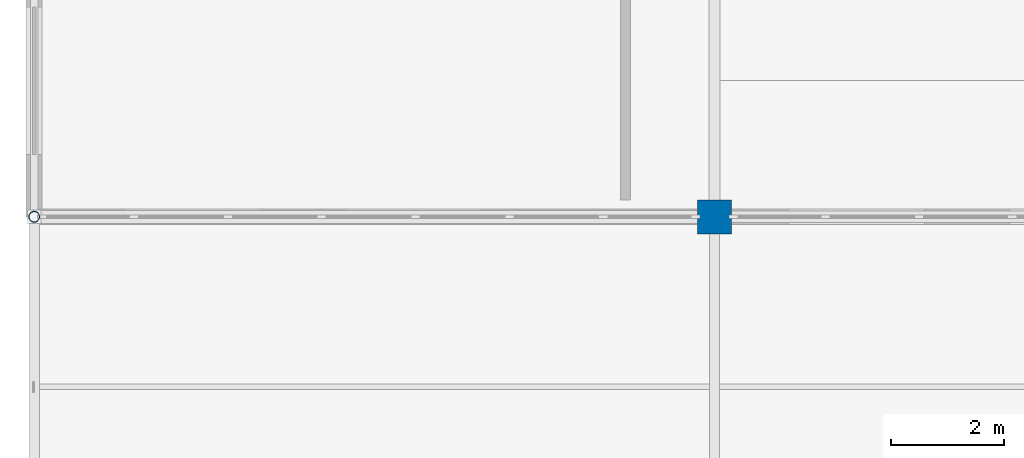
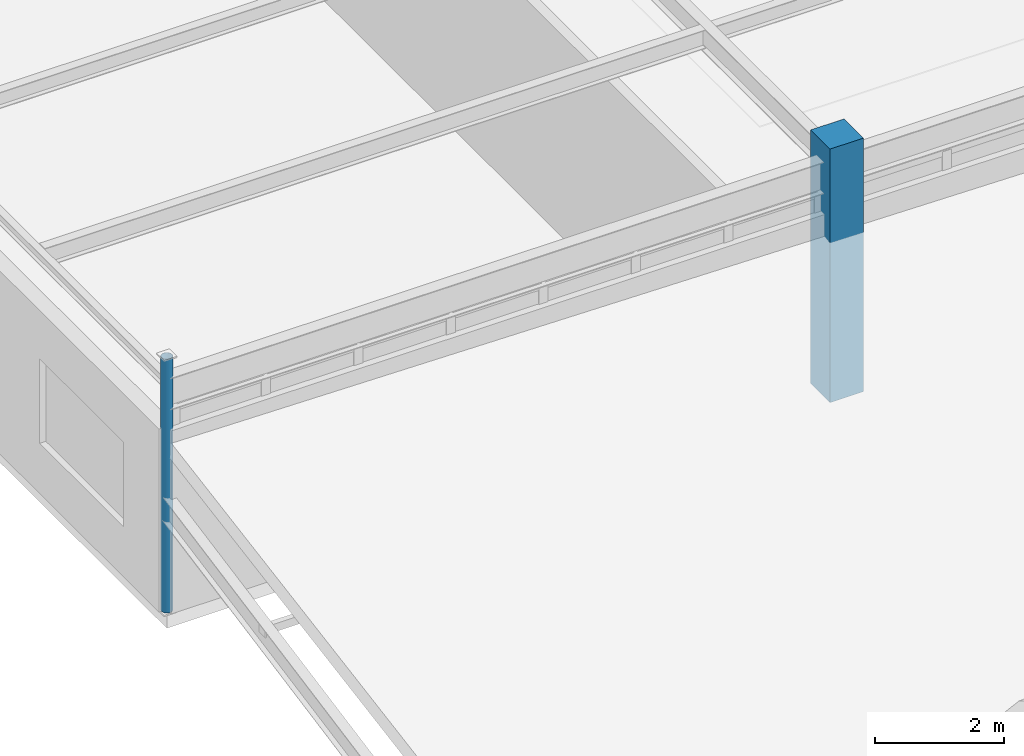
# One storey, part 3 of 226: 2 columns.
"""IFC4 building model written with IfcOpenShell, lengths in metres."""

from ifc_helpers import new_model, si_unit, direction, frame, origin, origin_2d, place, context, subcontext, project, spatial, rectangle, hollow_circle, extrude, material, material_profile, profile_set, type_object, element, save


model = new_model("IFC4")

# Units and contexts
model_context = context("Model", 3, precision=1e-05, world=origin(), true_north=direction((0.0, 1.0)))
body_context = subcontext(model_context, "Body", "Model", "MODEL_VIEW")
ifc_project = project(units=[si_unit("LENGTHUNIT", "METRE"), si_unit("AREAUNIT", "SQUARE_METRE"), si_unit("VOLUMEUNIT", "CUBIC_METRE"), si_unit("PLANEANGLEUNIT", "RADIAN"), si_unit("MASSUNIT", "GRAM", prefix="KILO")], contexts=[model_context])

# Site, building, storey
site_placement = place(None, origin())
site = spatial("IfcSite", under=ifc_project, at=site_placement, CompositionType="ELEMENT")
building_placement = place(site_placement, origin())
building = spatial("IfcBuilding", under=site, at=building_placement, Name="Tarnwether General Hospital", CompositionType="ELEMENT")
storey_placement = place(building_placement, frame((0.0, 0.0, 4.800048828125)))
storey = spatial("IfcBuildingStorey", under=building, at=storey_placement, Name="L01", CompositionType="ELEMENT", Elevation=4.800048828125)

# Columns
ifc_material_1 = material(Name="Concrete 50 MPa", Category="concrete")
ifc_material_profile_1 = material_profile(ifc_material_1, rectangle(XDim=0.60009765625, YDim=0.60009765625, at=origin_2d()), Name="RC-COL-600x600")
ifc_profile_set_1 = profile_set([ifc_material_profile_1], Name="Concrete 50 MPa")
column_type_1 = type_object("IfcColumnType", Name="COL-19", PredefinedType="COLUMN", material=ifc_profile_set_1)
column_1_placement = place(storey_placement, frame((12.0, 45.60009765625, 0.0), z_axis=(0.0, 0.0, 1.0), x_axis=(0.0, 1.0, 0.0)))
element("IfcColumn", 1, at=column_1_placement, inside=storey, type_object=column_type_1, Name="Column COLG-L01-1200_4560", PredefinedType="COLUMN", context=body_context, shape_type="SweptSolid", body=[
    extrude(rectangle(XDim=0.60009765625, YDim=0.60009765625, at=origin_2d()), origin(), (0.0, 0.0, 1.0), 4.800048828125),
])
ifc_material_2 = material(Name="Steel Grade C350L0 (350 MPa)", Category="steel")
ifc_material_profile_2 = material_profile(ifc_material_2, hollow_circle(Radius=0.096923828125, WallThickness=0.008056640625, at=origin_2d()), Name="CHS193.7x8.0")
ifc_profile_set_2 = profile_set([ifc_material_profile_2], Name="Steel Grade C350L0 (350 MPa)")
column_type_2 = type_object("IfcColumnType", Name="COL-29", PredefinedType="COLUMN", material=ifc_profile_set_2)
column_2_placement = place(storey_placement, frame((0.0, 45.60009765625, 0.0), z_axis=(0.0, 0.0, 1.0), x_axis=(1.0, 0.0, 0.0)))
element("IfcColumn", 2, at=column_2_placement, inside=storey, type_object=column_type_2, Name="Column COLG-L01-0_4560", PredefinedType="COLUMN", context=body_context, shape_type="SweptSolid", body=[
    extrude(hollow_circle(Radius=0.096923828125, WallThickness=0.008056640625, at=origin_2d()), origin(), (0.0, 0.0, 1.0), 4.800048828125),
])

save(model, "model.ifc")
